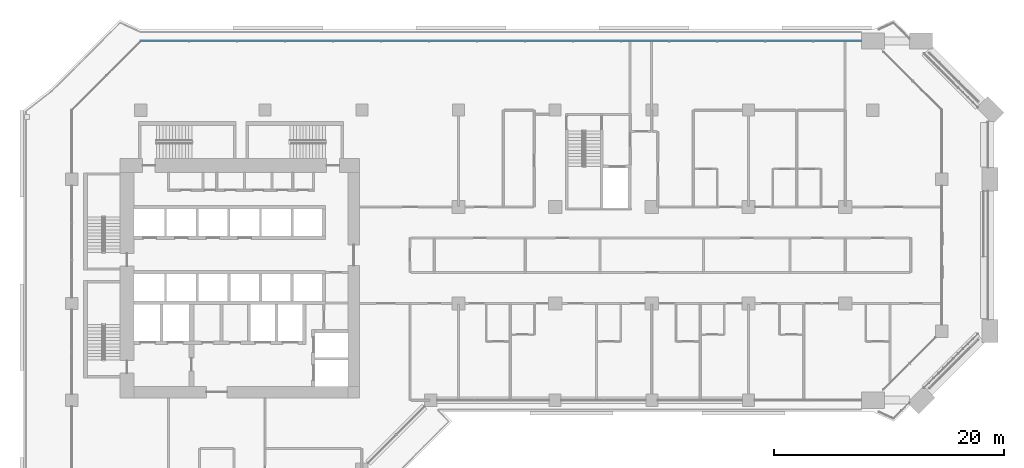
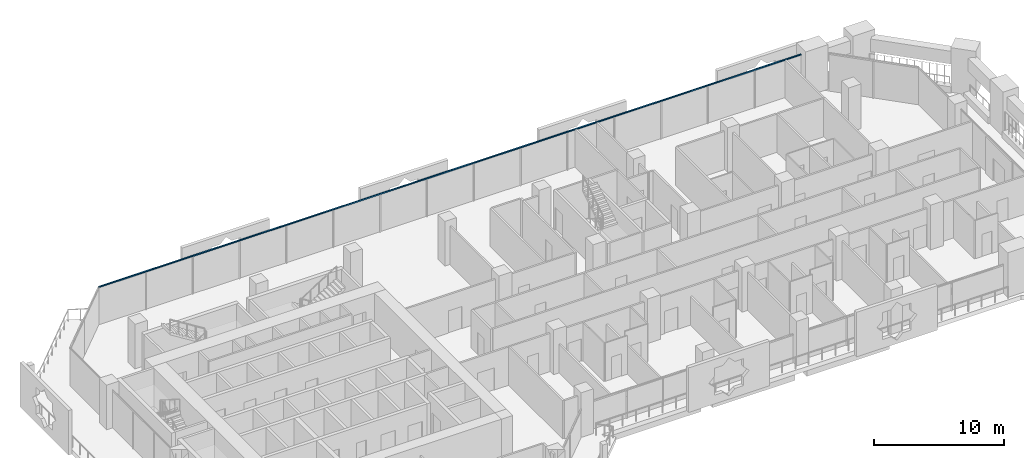
# One storey, part 9 of 25: 1 member, 1 element without a shape of its own.
"""IFC4 building model written with IfcOpenShell, lengths in metres."""

from ifc_helpers import new_model, si_unit, direction, frame, origin, origin_2d, place, context, subcontext, project, spatial, rectangle, extrude, material, layer, layer_set, material_profile, profile_set, type_object, element, aggregate, save


model = new_model("IFC4")

# Units and contexts
model_context = context("Model", 3, precision=1e-05, world=origin(), true_north=direction((0.0, 1.0)))
body_context = subcontext(model_context, "Body", "Model", "MODEL_VIEW")
ifc_project = project(units=[si_unit("LENGTHUNIT", "METRE"), si_unit("AREAUNIT", "SQUARE_METRE"), si_unit("VOLUMEUNIT", "CUBIC_METRE"), si_unit("PLANEANGLEUNIT", "RADIAN"), si_unit("MASSUNIT", "GRAM", prefix="KILO")], contexts=[model_context])

# Site, building, storey
site_placement = place(None, origin())
site = spatial("IfcSite", under=ifc_project, at=site_placement, CompositionType="ELEMENT")
building_placement = place(site_placement, origin())
building = spatial("IfcBuilding", under=site, at=building_placement, Name="Kawkab Arch Medical Tower", CompositionType="ELEMENT")
storey_placement = place(building_placement, frame((0.0, 0.0, 111.39990234375)))
storey = spatial("IfcBuildingStorey", under=building, at=storey_placement, Name="L25", CompositionType="ELEMENT", Elevation=111.39990234375)

# Curtain wall, member
ifc_material_1 = material(Name="Bronze anodised aluminium curtain wall frame", Category="aluminium")
ifc_layer = layer(ifc_material_1, 0.159912109375)
ifc_layer_set = layer_set([ifc_layer], Name="Bronze anodised aluminium curtain wall frame")
curtain_wall_type = type_object("IfcCurtainWallType", Name="CW1 ward curtain wall", PredefinedType="NOTDEFINED", material=ifc_layer_set)
curtain_wall_placement = place(storey_placement, origin())
curtain_wall = element("IfcCurtainWall", 1, at=curtain_wall_placement, inside=storey, type_object=curtain_wall_type, Name="CW1 Ward curtain wall R11", PredefinedType="NOTDEFINED")
ifc_material_2 = material(Name="Bronze anodised aluminium curtain wall frame", Category="aluminium")
ifc_material_profile = material_profile(ifc_material_2, rectangle(XDim=0.06005859375, YDim=0.1201171875, at=origin_2d()), Name="AL 60x120")
ifc_profile_set = profile_set([ifc_material_profile], Name="Bronze anodised aluminium curtain wall frame")
member_type = type_object("IfcMemberType", Name="CW1 transom 120 x 60", PredefinedType="USERDEFINED", material=ifc_profile_set)
member_placement = place(storey_placement, frame((68.60009765625, 6.0, 3.5400390625), z_axis=(-1.0, 0.0, 0.0), x_axis=(0.0, -1.0, 0.0)))
member = element("IfcMember", 2, at=member_placement, type_object=member_type, Name="CW1 transom 1", ObjectType="TRANSOM", PredefinedType="USERDEFINED", context=body_context, shape_type="SweptSolid", body=[
    extrude(rectangle(XDim=0.06005859375, YDim=0.1201171875, at=origin_2d()), origin(), (0.0, 0.0, 1.0), 62.60009765625),
])
aggregate(curtain_wall, [member])

save(model, "model.ifc")
